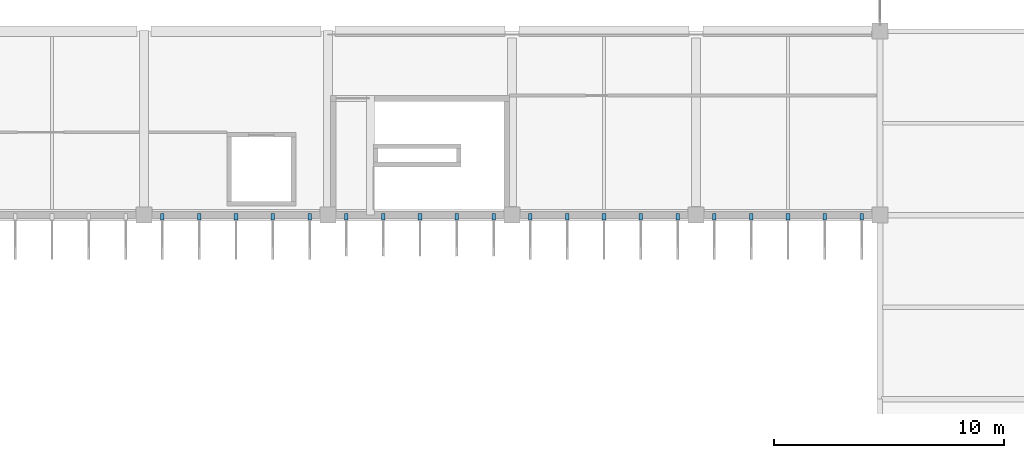
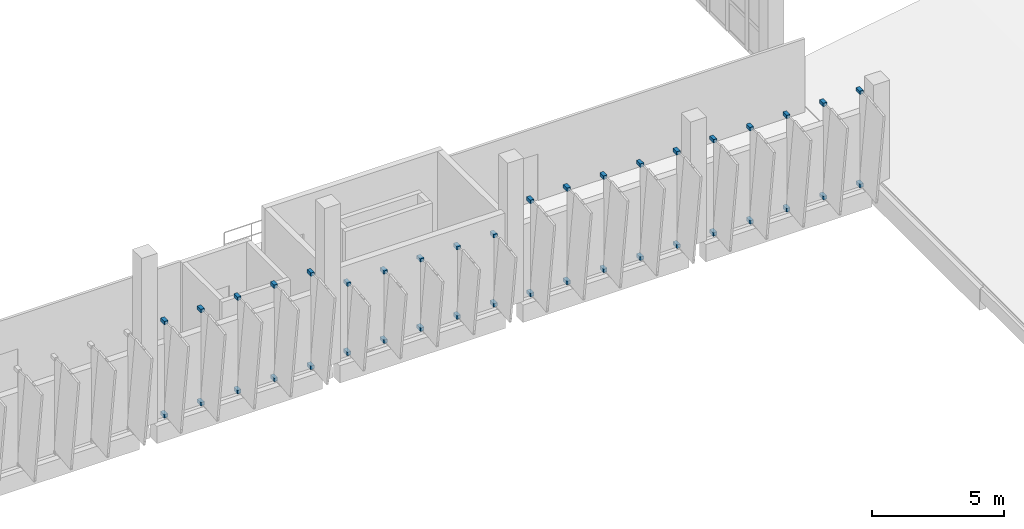
# One storey, part 57 of 66: 40 discrete accessories.
"""IFC4 building model written with IfcOpenShell, lengths in metres."""

from ifc_helpers import new_model, si_unit, direction, frame, origin, origin_2d, place, context, subcontext, project, spatial, rectangle, extrude, material, type_object, element, save


model = new_model("IFC4")

# Units and contexts
model_context = context("Model", 3, precision=1e-05, world=origin(), true_north=direction((0.0, 1.0)))
body_context = subcontext(model_context, "Body", "Model", "MODEL_VIEW")
ifc_project = project(units=[si_unit("LENGTHUNIT", "METRE"), si_unit("AREAUNIT", "SQUARE_METRE"), si_unit("VOLUMEUNIT", "CUBIC_METRE"), si_unit("PLANEANGLEUNIT", "RADIAN"), si_unit("MASSUNIT", "GRAM", prefix="KILO")], contexts=[model_context])

# Site, building, storey
site_placement = place(None, origin())
site = spatial("IfcSite", under=ifc_project, at=site_placement, CompositionType="ELEMENT")
building_placement = place(site_placement, origin())
building = spatial("IfcBuilding", under=site, at=building_placement, Name="Drelvana Railside Aquatics Centre", CompositionType="ELEMENT")
storey_placement = place(building_placement, frame((0.0, 0.0, 10.199951171875)))
storey = spatial("IfcBuildingStorey", under=building, at=storey_placement, Name="L02", CompositionType="ELEMENT", Elevation=10.199951171875)

# Discrete accessories
ifc_material = material(Name="Stainless steel 316 facade bracket", Category="steel")
discrete_accessory_type = type_object("IfcDiscreteAccessoryType", Name="ACC-BRACKET-FIN", PredefinedType="BRACKET", material=ifc_material)
for number, where, z_axis, x_axis, name in (
    (1, (64.800048828125, 15.925048828125, -0.01513671875), (0.0, 0.0, 1.0), (0.0, -1.0, 0.0), "Shading fin bracket BK-0189"),
    (2, (64.800048828125, 15.925048828125, 4.294921875), (0.0, 0.0, 1.0), (0.0, -1.0, 0.0), "Shading fin bracket BK-0190"),
    (3, (66.39990234375, 15.925048828125, -0.01513671875), (0.0, 0.0, 1.0), (0.0, -1.0, 0.0), "Shading fin bracket BK-0191"),
    (4, (66.39990234375, 15.925048828125, 4.294921875), (0.0, 0.0, 1.0), (0.0, -1.0, 0.0), "Shading fin bracket BK-0192"),
    (5, (68.0, 15.925048828125, -0.01513671875), (0.0, 0.0, 1.0), (0.0, -1.0, 0.0), "Shading fin bracket BK-0193"),
    (6, (68.0, 15.925048828125, 4.294921875), (0.0, 0.0, 1.0), (0.0, -1.0, 0.0), "Shading fin bracket BK-0194"),
    (7, (69.60009765625, 15.925048828125, -0.01513671875), (0.0, 0.0, 1.0), (0.0, -1.0, 0.0), "Shading fin bracket BK-0195"),
    (8, (69.60009765625, 15.925048828125, 4.294921875), (0.0, 0.0, 1.0), (0.0, -1.0, 0.0), "Shading fin bracket BK-0196"),
    (9, (71.199951171875, 15.925048828125, -0.01513671875), (0.0, 0.0, 1.0), (0.0, -1.0, 0.0), "Shading fin bracket BK-0197"),
    (10, (71.199951171875, 15.925048828125, 4.294921875), (0.0, 0.0, 1.0), (0.0, -1.0, 0.0), "Shading fin bracket BK-0198"),
    (11, (72.800048828125, 15.929931640625, 0.06494140625), (0.0, 0.0, 1.0), (0.0, -1.0, 0.0), "Shading fin bracket BK-0219"),
    (12, (72.800048828125, 15.929931640625, 3.26513671875), (0.0, 0.0, 1.0), (0.0, -1.0, 0.0), "Shading fin bracket BK-0220"),
    (13, (74.39990234375, 15.929931640625, 0.06494140625), (0.0, 0.0, 1.0), (0.0, -1.0, 0.0), "Shading fin bracket BK-0221"),
    (14, (74.39990234375, 15.929931640625, 3.26513671875), (0.0, 0.0, 1.0), (0.0, -1.0, 0.0), "Shading fin bracket BK-0222"),
    (15, (76.0, 15.929931640625, 0.06494140625), (0.0, 0.0, 1.0), (0.0, -1.0, 0.0), "Shading fin bracket BK-0223"),
    (16, (76.0, 15.929931640625, 3.26513671875), (0.0, 0.0, 1.0), (0.0, -1.0, 0.0), "Shading fin bracket BK-0224"),
    (17, (77.60009765625, 15.929931640625, 0.06494140625), (0.0, 0.0, 1.0), (0.0, -1.0, 0.0), "Shading fin bracket BK-0225"),
    (18, (77.60009765625, 15.929931640625, 3.26513671875), (0.0, 0.0, 1.0), (0.0, -1.0, 0.0), "Shading fin bracket BK-0226"),
    (19, (79.199951171875, 15.929931640625, 0.06494140625), (0.0, 0.0, 1.0), (0.0, -1.0, 0.0), "Shading fin bracket BK-0227"),
    (20, (79.199951171875, 15.929931640625, 3.26513671875), (0.0, 0.0, 1.0), (0.0, -1.0, 0.0), "Shading fin bracket BK-0228"),
    (21, (80.800048828125, 15.925048828125, -0.01513671875), (0.0, 0.0, 1.0), (0.0, -1.0, 0.0), "Shading fin bracket BK-0247"),
    (22, (80.800048828125, 15.925048828125, 4.294921875), (0.0, 0.0, 1.0), (0.0, -1.0, 0.0), "Shading fin bracket BK-0248"),
    (23, (82.39990234375, 15.925048828125, -0.01513671875), (0.0, 0.0, 1.0), (0.0, -1.0, 0.0), "Shading fin bracket BK-0249"),
    (24, (82.39990234375, 15.925048828125, 4.294921875), (0.0, 0.0, 1.0), (0.0, -1.0, 0.0), "Shading fin bracket BK-0250"),
    (25, (84.0, 15.925048828125, -0.01513671875), (0.0, 0.0, 1.0), (0.0, -1.0, 0.0), "Shading fin bracket BK-0251"),
    (26, (84.0, 15.925048828125, 4.294921875), (0.0, 0.0, 1.0), (0.0, -1.0, 0.0), "Shading fin bracket BK-0252"),
    (27, (85.60009765625, 15.925048828125, -0.01513671875), (0.0, 0.0, 1.0), (0.0, -1.0, 0.0), "Shading fin bracket BK-0253"),
    (28, (85.60009765625, 15.925048828125, 4.294921875), (0.0, 0.0, 1.0), (0.0, -1.0, 0.0), "Shading fin bracket BK-0254"),
    (29, (87.199951171875, 15.925048828125, -0.01513671875), (0.0, 0.0, 1.0), (0.0, -1.0, 0.0), "Shading fin bracket BK-0255"),
    (30, (87.199951171875, 15.925048828125, 4.294921875), (0.0, 0.0, 1.0), (0.0, -1.0, 0.0), "Shading fin bracket BK-0256"),
    (31, (88.800048828125, 15.925048828125, -0.01513671875), (0.0, 0.0, 1.0), (0.0, -1.0, 0.0), "Shading fin bracket BK-0279"),
    (32, (88.800048828125, 15.925048828125, 4.294921875), (0.0, 0.0, 1.0), (0.0, -1.0, 0.0), "Shading fin bracket BK-0280"),
    (33, (90.39990234375, 15.925048828125, -0.01513671875), (0.0, 0.0, 1.0), (0.0, -1.0, 0.0), "Shading fin bracket BK-0281"),
    (34, (90.39990234375, 15.925048828125, 4.294921875), (0.0, 0.0, 1.0), (0.0, -1.0, 0.0), "Shading fin bracket BK-0282"),
    (35, (92.0, 15.925048828125, -0.01513671875), (0.0, 0.0, 1.0), (0.0, -1.0, 0.0), "Shading fin bracket BK-0283"),
    (36, (92.0, 15.925048828125, 4.294921875), (0.0, 0.0, 1.0), (0.0, -1.0, 0.0), "Shading fin bracket BK-0284"),
    (37, (93.60009765625, 15.925048828125, -0.01513671875), (0.0, 0.0, 1.0), (0.0, -1.0, 0.0), "Shading fin bracket BK-0285"),
    (38, (93.60009765625, 15.925048828125, 4.294921875), (0.0, 0.0, 1.0), (0.0, -1.0, 0.0), "Shading fin bracket BK-0286"),
    (39, (95.199951171875, 15.925048828125, -0.01513671875), (0.0, 0.0, 1.0), (0.0, -1.0, 0.0), "Shading fin bracket BK-0287"),
    (40, (95.199951171875, 15.925048828125, 4.294921875), (0.0, 0.0, 1.0), (0.0, -1.0, 0.0), "Shading fin bracket BK-0288"),
):
    element("IfcDiscreteAccessory", number, at=place(storey_placement, frame(where, z_axis=z_axis, x_axis=x_axis)), inside=storey, type_object=discrete_accessory_type, Name=name, PredefinedType="BRACKET", context=body_context, shape_type="SweptSolid", body=[
        extrude(rectangle(XDim=0.280029296875, YDim=0.159912109375, at=origin_2d()), origin(), (0.0, 0.0, 1.0), 0.159912109375),
    ])

save(model, "model.ifc")
